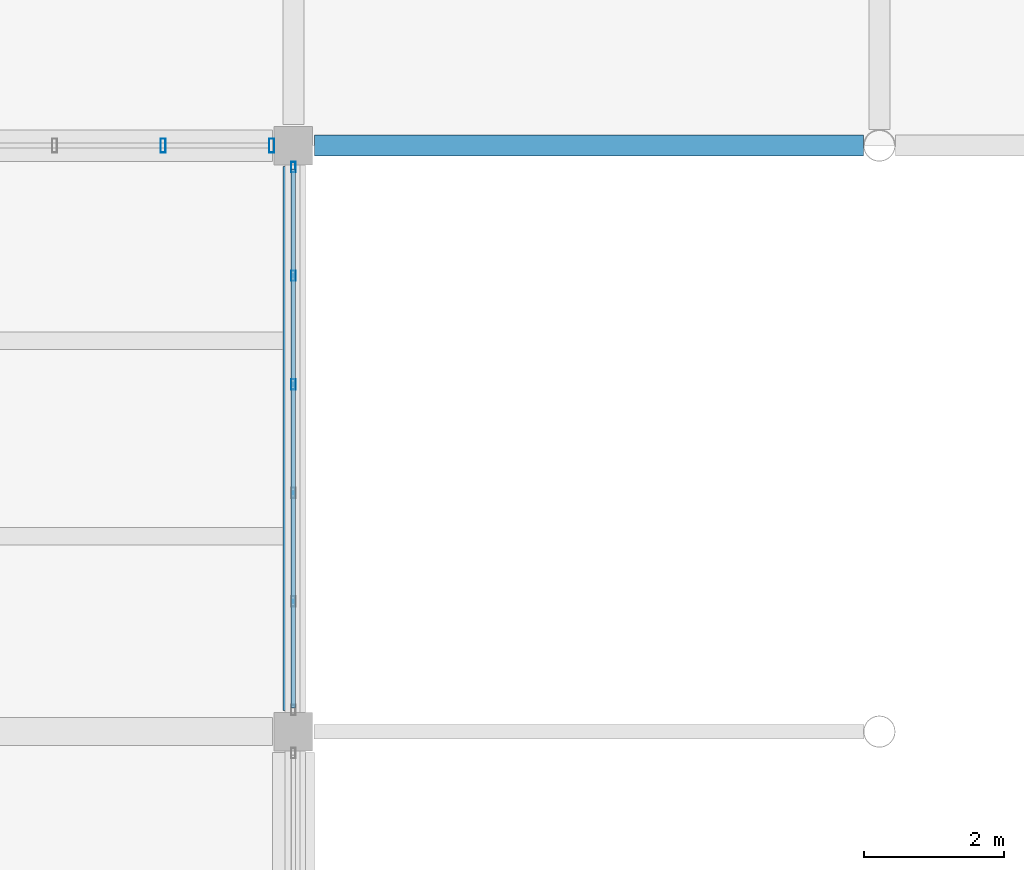
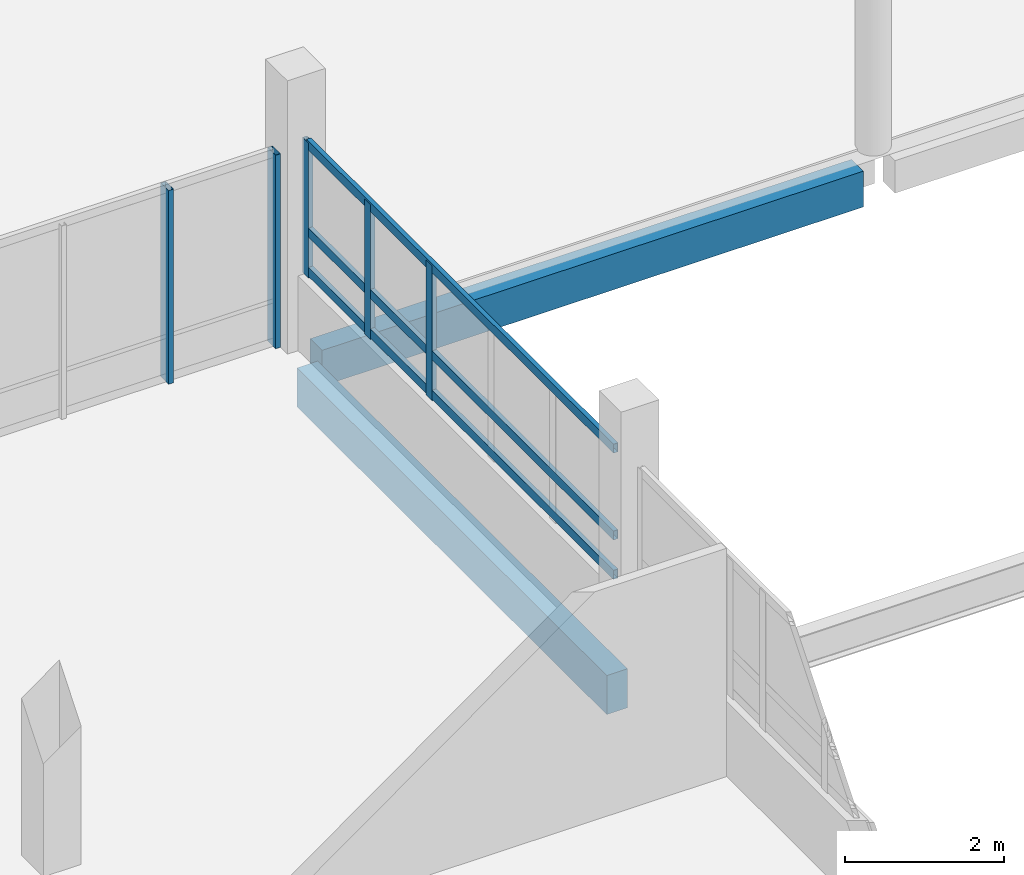
# One storey, part 63 of 130: 8 members, 2 beams, 2 elements without a shape of their own.
"""IFC4 building model written with IfcOpenShell, lengths in metres."""

from ifc_helpers import new_model, si_unit, direction, frame, origin, origin_2d, place, context, subcontext, project, spatial, rectangle, hollow_rectangle, extrude, material, layer, layer_set, material_profile, profile_set, type_object, element, aggregate, save


model = new_model("IFC4")

# Units and contexts
model_context = context("Model", 3, precision=1e-05, world=origin(), true_north=direction((0.0, 1.0)))
body_context = subcontext(model_context, "Body", "Model", "MODEL_VIEW")
ifc_project = project(units=[si_unit("LENGTHUNIT", "METRE"), si_unit("AREAUNIT", "SQUARE_METRE"), si_unit("VOLUMEUNIT", "CUBIC_METRE"), si_unit("PLANEANGLEUNIT", "RADIAN"), si_unit("MASSUNIT", "GRAM", prefix="KILO")], contexts=[model_context])

# Site, building, storey
site_placement = place(None, origin())
site = spatial("IfcSite", under=ifc_project, at=site_placement, CompositionType="ELEMENT")
building_placement = place(site_placement, origin())
building = spatial("IfcBuilding", under=site, at=building_placement, Name="Vireocrest Preparatory School", CompositionType="ELEMENT")
storey_placement = place(building_placement, frame((0.0, 0.0, 9.0)))
storey = spatial("IfcBuildingStorey", under=building, at=storey_placement, Name="L02", CompositionType="ELEMENT", Elevation=9.0)

# Curtain wall, members
ifc_material_1 = material(Name="Thermally broken aluminium EN AW-6063-T6", Category="aluminium")
ifc_layer_1 = layer(ifc_material_1, 0.179931640625)
ifc_layer_set_1 = layer_set([ifc_layer_1], Name="Thermally broken aluminium EN AW-6063-T6")
curtain_wall_type_1 = type_object("IfcCurtainWallType", Name="Court Banded Curtain Wall 8400x3000", PredefinedType="USERDEFINED", material=ifc_layer_set_1)
curtain_wall_1_placement = place(storey_placement, origin())
curtain_wall_1 = element("IfcCurtainWall", 1, at=curtain_wall_1_placement, inside=storey, type_object=curtain_wall_type_1, Name="Curtain Wall CW02 CW_L02_CW02_0672_0776_102", ObjectType="CURTAIN WALL", PredefinedType="USERDEFINED")
ifc_material_profile_1 = material_profile(ifc_material_1, hollow_rectangle(XDim=0.06494140625, YDim=0.14990234375, WallThickness=0.00390625, at=origin_2d()), Name="ALU 65x150x4")
ifc_profile_set_1 = profile_set([ifc_material_profile_1], Name="Thermally broken aluminium EN AW-6063-T6")
member_type_1 = type_object("IfcMemberType", Name="CW Mullion 65x150x4", PredefinedType="MULLION", material=ifc_profile_set_1)
member_1_placement = place(storey_placement, frame((67.199951171875, 82.3779296875, 1.14990234375), z_axis=(0.0, 0.0, 1.0), x_axis=(1.0, 0.0, 0.0)))
member_1 = element("IfcMember", 2, at=member_1_placement, type_object=member_type_1, Name="CW Mullion ML1 CW_L02_CW02_0672_0776_102-4", PredefinedType="MULLION", context=body_context, shape_type="SweptSolid", body=[
    extrude(hollow_rectangle(XDim=0.06494140625, YDim=0.14990234375, WallThickness=0.00390625, at=origin_2d()), origin(), (0.0, 0.0, 1.0), 2.0751953125),
])
member_2_placement = place(storey_placement, frame((67.199951171875, 83.93408203125, 1.14990234375), z_axis=(0.0, 0.0, 1.0), x_axis=(1.0, 0.0, 0.0)))
member_2 = element("IfcMember", 3, at=member_2_placement, type_object=member_type_1, Name="CW Mullion ML1 CW_L02_CW02_0672_0776_102-5", PredefinedType="MULLION", context=body_context, shape_type="SweptSolid", body=[
    extrude(hollow_rectangle(XDim=0.06494140625, YDim=0.14990234375, WallThickness=0.00390625, at=origin_2d()), origin(), (0.0, 0.0, 1.0), 2.0751953125),
])
member_3_placement = place(storey_placement, frame((67.199951171875, 85.489990234375, 1.14990234375), z_axis=(0.0, 0.0, 1.0), x_axis=(1.0, 0.0, 0.0)))
member_3 = element("IfcMember", 4, at=member_3_placement, type_object=member_type_1, Name="CW Mullion ML1 CW_L02_CW02_0672_0776_102-6", PredefinedType="MULLION", context=body_context, shape_type="SweptSolid", body=[
    extrude(hollow_rectangle(XDim=0.06494140625, YDim=0.14990234375, WallThickness=0.00390625, at=origin_2d()), origin(), (0.0, 0.0, 1.0), 2.0751953125),
])

ifc_layer_2 = layer(ifc_material_1, 0.179931640625)
ifc_layer_set_2 = layer_set([ifc_layer_2], Name="Thermally broken aluminium EN AW-6063-T6")
curtain_wall_type_2 = type_object("IfcCurtainWallType", Name="Side Facade Curtain Wall 9000x4200", PredefinedType="USERDEFINED", material=ifc_layer_set_2)
curtain_wall_2_placement = place(storey_placement, origin())
curtain_wall_2 = element("IfcCurtainWall", 5, at=curtain_wall_2_placement, inside=storey, type_object=curtain_wall_type_2, Name="Curtain Wall CW07 CW_L02_CW07_0590_0858_090", ObjectType="CURTAIN WALL", PredefinedType="USERDEFINED")
ifc_material_profile_2 = material_profile(ifc_material_1, hollow_rectangle(XDim=0.074951171875, YDim=0.199951171875, WallThickness=0.0048828125, at=origin_2d()), Name="ALU 75x200x5")
ifc_profile_set_2 = profile_set([ifc_material_profile_2], Name="Thermally broken aluminium EN AW-6063-T6")
member_type_2 = type_object("IfcMemberType", Name="CW Mullion 75x200x5", PredefinedType="MULLION", material=ifc_profile_set_2)
member_4_placement = place(storey_placement, frame((65.333984375, 85.800048828125, 0.0), z_axis=(0.0, 0.0, 1.0), x_axis=(1.0, 0.0, 0.0)))
member_4 = element("IfcMember", 6, at=member_4_placement, type_object=member_type_2, Name="CW Mullion ML3 CW_L02_CW07_0590_0858_090-5", PredefinedType="MULLION", context=body_context, shape_type="SweptSolid", body=[
    extrude(hollow_rectangle(XDim=0.074951171875, YDim=0.199951171875, WallThickness=0.0048828125, at=origin_2d()), origin(), (0.0, 0.0, 1.0), 2.97509765625),
])
member_5_placement = place(storey_placement, frame((66.889892578125, 85.800048828125, 0.0), z_axis=(0.0, 0.0, 1.0), x_axis=(1.0, 0.0, 0.0)))
member_5 = element("IfcMember", 7, at=member_5_placement, type_object=member_type_2, Name="CW Mullion ML3 CW_L02_CW07_0590_0858_090-6", PredefinedType="MULLION", context=body_context, shape_type="SweptSolid", body=[
    extrude(hollow_rectangle(XDim=0.074951171875, YDim=0.199951171875, WallThickness=0.0048828125, at=origin_2d()), origin(), (0.0, 0.0, 1.0), 2.97509765625),
])
aggregate(curtain_wall_2, [member_4, member_5])

# Member
ifc_material_profile_3 = material_profile(ifc_material_1, hollow_rectangle(XDim=0.06494140625, YDim=0.139892578125, WallThickness=0.00390625, at=origin_2d()), Name="ALU 65x140x4")
ifc_profile_set_3 = profile_set([ifc_material_profile_3], Name="Thermally broken aluminium EN AW-6063-T6")
member_type_3 = type_object("IfcMemberType", Name="CW Transom 65x140x4", PredefinedType="USERDEFINED", material=ifc_profile_set_3)
member_6_placement = place(storey_placement, frame((67.199951171875, 77.735107421875, 1.2451171875), z_axis=(0.0, 1.0, 0.0), x_axis=(-1.0, 0.0, 0.0)))
member_6 = element("IfcMember", 8, at=member_6_placement, type_object=member_type_3, Name="CW Transom TR1 CW_L02_CW02_0672_0776_102-1", ObjectType="TRANSOM", PredefinedType="USERDEFINED", context=body_context, shape_type="SweptSolid", body=[
    extrude(hollow_rectangle(XDim=0.06494140625, YDim=0.139892578125, WallThickness=0.00390625, at=origin_2d()), origin(), (0.0, 0.0, 1.0), 7.72998046875),
])

member_7_placement = place(storey_placement, frame((67.199951171875, 77.735107421875, 1.85009765625), z_axis=(0.0, 1.0, 0.0), x_axis=(-1.0, 0.0, 0.0)))
member_7 = element("IfcMember", 9, at=member_7_placement, type_object=member_type_3, Name="CW Transom TR1 CW_L02_CW02_0672_0776_102-2", ObjectType="TRANSOM", PredefinedType="USERDEFINED", context=body_context, shape_type="SweptSolid", body=[
    extrude(hollow_rectangle(XDim=0.06494140625, YDim=0.139892578125, WallThickness=0.00390625, at=origin_2d()), origin(), (0.0, 0.0, 1.0), 7.72998046875),
])

member_8_placement = place(storey_placement, frame((67.199951171875, 77.735107421875, 3.18505859375), z_axis=(0.0, 1.0, 0.0), x_axis=(-1.0, 0.0, 0.0)))
member_8 = element("IfcMember", 10, at=member_8_placement, type_object=member_type_3, Name="CW Transom TR1 CW_L02_CW02_0672_0776_102-3", ObjectType="TRANSOM", PredefinedType="USERDEFINED", context=body_context, shape_type="SweptSolid", body=[
    extrude(hollow_rectangle(XDim=0.06494140625, YDim=0.139892578125, WallThickness=0.00390625, at=origin_2d()), origin(), (0.0, 0.0, 1.0), 7.72998046875),
])

aggregate(curtain_wall_1, [member_1, member_2, member_3, member_6, member_7, member_8])

# Beams
ifc_material_2 = material(Name="Concrete 40 MPa", Category="concrete")
ifc_material_profile_4 = material_profile(ifc_material_2, rectangle(XDim=0.300048828125, YDim=0.60009765625, at=origin_2d()), Name="RC 300x600")
ifc_profile_set_4 = profile_set([ifc_material_profile_4], Name="Concrete 40 MPa")
beam_type_1 = type_object("IfcBeamType", Name="RC Classroom Beam 300x600", PredefinedType="BEAM", material=ifc_profile_set_4)
beam_1_placement = place(storey_placement, frame((67.199951171875, 77.699951171875, -0.5400390625), z_axis=(0.0, 1.0, 0.0), x_axis=(-1.0, 0.0, 0.0)))
element("IfcBeam", 11, at=beam_1_placement, inside=storey, type_object=beam_type_1, Name="Primary Girder B03 L02-0824", PredefinedType="BEAM", context=body_context, shape_type="SweptSolid", body=[
    extrude(rectangle(XDim=0.300048828125, YDim=0.60009765625, at=origin_2d()), origin(), (0.0, 0.0, 1.0), 7.800048828125),
])
ifc_material_profile_5 = material_profile(ifc_material_2, rectangle(XDim=0.300048828125, YDim=0.550048828125, at=origin_2d()), Name="RC 300x550")
ifc_profile_set_5 = profile_set([ifc_material_profile_5], Name="Concrete 40 MPa")
beam_type_2 = type_object("IfcBeamType", Name="RC Roof Girder 300x550", PredefinedType="BEAM", material=ifc_profile_set_5)
beam_2_placement = place(storey_placement, frame((67.5, 85.800048828125, -0.4951171875), z_axis=(1.0, 0.0, 0.0), x_axis=(0.0, 1.0, 0.0)))
element("IfcBeam", 12, at=beam_2_placement, inside=storey, type_object=beam_type_2, Name="Primary Girder B02 L02-0750", PredefinedType="BEAM", context=body_context, shape_type="SweptSolid", body=[
    extrude(rectangle(XDim=0.300048828125, YDim=0.550048828125, at=origin_2d()), origin(), (0.0, 0.0, 1.0), 7.871337890625),
])

save(model, "model.ifc")
